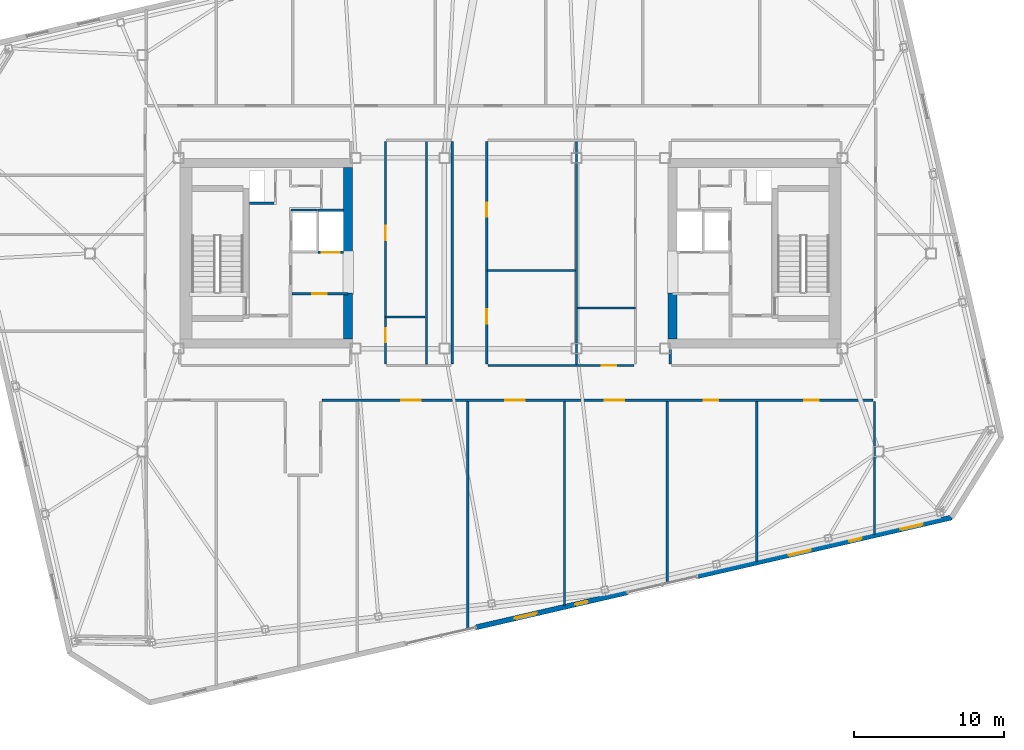
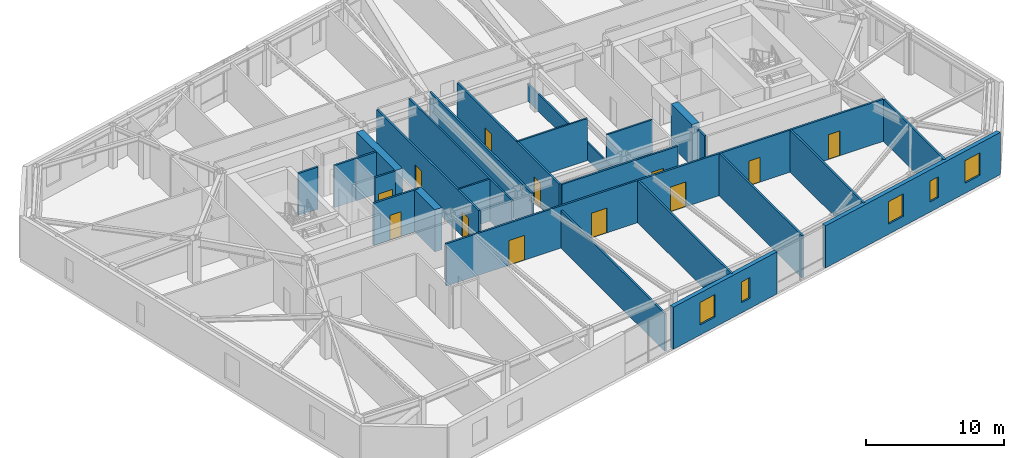
# One storey, part 16 of 22: 26 walls, 12 doors, 5 windows, 17 openings.
"""IFC4 building model written with IfcOpenShell, lengths in metres."""

from ifc_helpers import new_model, si_unit, direction, frame, frame_2d, origin, place, context, subcontext, project, spatial, rectangle, extrude, material, layer, layer_set, type_object, element, fill, save


model = new_model("IFC4")

# Units and contexts
model_context = context("Model", 3, precision=1e-05, world=origin(), true_north=direction((0.0, 1.0)))
body_context = subcontext(model_context, "Body", "Model", "MODEL_VIEW")
ifc_project = project(units=[si_unit("LENGTHUNIT", "METRE"), si_unit("AREAUNIT", "SQUARE_METRE"), si_unit("VOLUMEUNIT", "CUBIC_METRE"), si_unit("PLANEANGLEUNIT", "RADIAN"), si_unit("MASSUNIT", "GRAM", prefix="KILO")], contexts=[model_context])

# Site, building, storey
site_placement = place(None, origin())
site = spatial("IfcSite", under=ifc_project, at=site_placement, CompositionType="ELEMENT")
building_placement = place(site_placement, origin())
building = spatial("IfcBuilding", under=site, at=building_placement, Name="Tavrogorsk Clinical Tower", CompositionType="ELEMENT")
storey_placement = place(building_placement, frame((0.0, 0.0, 313.0)))
storey = spatial("IfcBuildingStorey", under=building, at=storey_placement, Name="L73", CompositionType="ELEMENT", Elevation=313.0)

# Walls
ifc_material_1 = material(Name="Lightweight concrete blockwork B15", Category="masonry")
ifc_layer_1 = layer(ifc_material_1, 0.139892578125)
ifc_layer_set_1 = layer_set([ifc_layer_1], Name="Lightweight concrete blockwork B15")
wall_type_1 = type_object("IfcWallType", Name="PartitionWall_140", PredefinedType="PARTITIONING", material=ifc_layer_set_1)
wall_1_placement = place(storey_placement, frame((-5.60009765625, -7.465087890625, 0.0), z_axis=(0.0, 0.0, 1.0), x_axis=(0.0, 1.0, 0.0)))
element("IfcWall", 1, at=wall_1_placement, inside=storey, type_object=wall_type_1, Name="L73 Central Spine Partition 1", PredefinedType="PARTITIONING", context=body_context, shape_type="SweptSolid", body=[
    extrude(rectangle(XDim=14.97998046875, YDim=0.139892578125, at=frame_2d((7.489990234375, 0.0))), origin(), (0.0, 0.0, 1.0), 3.739990234375),
])
wall_2_placement = place(storey_placement, frame((4.39990234375, -7.465087890625, 0.0), z_axis=(0.0, 0.0, 1.0), x_axis=(0.0, 1.0, 0.0)))
element("IfcWall", 2, at=wall_2_placement, inside=storey, type_object=wall_type_1, Name="L73 Central Spine Partition 2", PredefinedType="PARTITIONING", context=body_context, shape_type="SweptSolid", body=[
    extrude(rectangle(XDim=14.97998046875, YDim=0.139892578125, at=frame_2d((7.489990234375, 0.0))), origin(), (0.0, 0.0, 1.0), 1.534912109375),
])
wall_3_placement = place(storey_placement, frame((-1.56494140625, -1.14990234375, 0.0), z_axis=(0.0, 0.0, 1.0), x_axis=(1.0, 0.0, 0.0)))
element("IfcWall", 3, at=wall_3_placement, inside=storey, type_object=wall_type_1, Name="L73 Central Spine Partition 3", PredefinedType="PARTITIONING", context=body_context, shape_type="SweptSolid", body=[
    extrude(rectangle(XDim=5.889892578125, YDim=0.139892578125, at=frame_2d((2.94482421875, 0.0))), origin(), (0.0, 0.0, 1.0), 3.739990234375),
])
wall_4_placement = place(storey_placement, frame((-8.31494140625, -4.25, 0.0), z_axis=(0.0, 0.0, 1.0), x_axis=(1.0, 0.0, 0.0)))
element("IfcWall", 4, at=wall_4_placement, inside=storey, type_object=wall_type_1, Name="L73 Central Spine Partition 4", PredefinedType="PARTITIONING", context=body_context, shape_type="SweptSolid", body=[
    extrude(rectangle(XDim=2.639892578125, YDim=0.139892578125, at=frame_2d((1.31982421875, 0.0))), origin(), (0.0, 0.0, 1.0), 3.739990234375),
])
wall_5_placement = place(storey_placement, frame((4.47509765625, -3.64990234375, 0.0), z_axis=(0.0, 0.0, 1.0), x_axis=(1.0, 0.0, 0.0)))
element("IfcWall", 5, at=wall_5_placement, inside=storey, type_object=wall_type_1, Name="L73 Central Spine Partition 5", PredefinedType="PARTITIONING", context=body_context, shape_type="SweptSolid", body=[
    extrude(rectangle(XDim=3.83984375, YDim=0.139892578125, at=frame_2d((1.919921875, 0.0))), origin(), (0.0, 0.0, 1.0), 3.739990234375),
])

# Wall, opening, door
ifc_material_2 = material(Name="Lightweight concrete blockwork B15", Category="masonry")
ifc_layer_2 = layer(ifc_material_2, 0.159912109375)
ifc_layer_set_2 = layer_set([ifc_layer_2], Name="Lightweight concrete blockwork B15")
wall_type_2 = type_object("IfcWallType", Name="PartitionWall_160", PredefinedType="PARTITIONING", material=ifc_layer_set_2)
wall_6_placement = place(storey_placement, frame((-14.534912109375, -2.699951171875, 0.0), z_axis=(0.0, 0.0, 1.0), x_axis=(1.0, 0.0, 0.0)))
wall_6 = element("IfcWall", 6, at=wall_6_placement, inside=storey, type_object=wall_type_2, Name="L73 Core West Freed Mid-Bank North Partition", PredefinedType="PARTITIONING", context=body_context, shape_type="SweptSolid", body=[
    extrude(rectangle(XDim=3.73486328125, YDim=0.159912109375, at=frame_2d((1.867431640625, 0.0))), origin(), (0.0, 0.0, 1.0), 3.739990234375),
])
opening_1_placement = place(wall_6_placement, frame((1.35009765625, 0.0, 0.0)))
opening_1 = element("IfcOpeningElement", 7, at=opening_1_placement, cuts=wall_6, Name="Opening ID-02", PredefinedType="OPENING", context=body_context, shape_type="SweptSolid", body=[
    extrude(rectangle(XDim=0.949951171875, YDim=2.199951171875, at=frame_2d((0.47509765625, 1.10009765625))), frame((0.0, 0.08984375, 0.0), z_axis=(0.0, -1.0, 0.0), x_axis=(1.0, 0.0, 0.0)), (0.0, 0.0, 1.0), 0.179931640625),
])
ifc_material_3 = material(Name="Laminated timber leaf on aluminium frame", Category="wood")
door_type_1 = type_object("IfcDoorType", Name="InteriorDoor_ID02_950", OperationType="NOTDEFINED", PredefinedType="DOOR", material=ifc_material_3)
door_1_placement = place(opening_1_placement, origin())
door_1 = element("IfcDoor", 8, at=door_1_placement, inside=storey, type_object=door_type_1, Name="L73 Core West Pharmacy Prep Door", OperationType="SINGLE_SWING_LEFT", OverallHeight=2.199951171875, OverallWidth=0.949951171875, PredefinedType="DOOR", context=body_context, shape_type="SweptSolid", body=[
    extrude(rectangle(XDim=0.949951171875, YDim=2.199951171875, at=frame_2d((0.47509765625, 1.10009765625))), frame((0.0, 0.02490234375, 0.0), z_axis=(0.0, -1.0, 0.0), x_axis=(1.0, 0.0, 0.0)), (0.0, 0.0, 1.0), 0.050048828125),
])
fill(opening_1, door_1)

# Wall, openings, doors
wall_7_placement = place(storey_placement, frame((24.14501953125, -9.780029296875, 0.0), z_axis=(0.0, 0.0, 1.0), x_axis=(-1.0, 0.0, 0.0)))
wall_7 = element("IfcWall", 9, at=wall_7_placement, inside=storey, type_object=wall_type_2, Name="L73 Corridor Partition 04", PredefinedType="PARTITIONING", context=body_context, shape_type="SweptSolid", body=[
    extrude(rectangle(XDim=36.679931640625, YDim=0.159912109375, at=frame_2d((18.33984375, 0.0))), origin(), (0.0, 0.0, 1.0), 3.739990234375),
])
opening_2_placement = place(wall_7_placement, frame((30.10498046875, 0.0, 0.0)))
opening_2 = element("IfcOpeningElement", 10, at=opening_2_placement, cuts=wall_7, Name="Opening ID-01", PredefinedType="OPENING", context=body_context, shape_type="SweptSolid", body=[
    extrude(rectangle(XDim=1.300048828125, YDim=2.199951171875, at=frame_2d((0.64990234375, 1.10009765625))), frame((0.0, 0.08984375, 0.0), z_axis=(0.0, -1.0, 0.0), x_axis=(1.0, 0.0, 0.0)), (0.0, 0.0, 1.0), 0.179931640625),
])
opening_3_placement = place(wall_7_placement, frame((23.205078125, 0.0, 0.0)))
opening_3 = element("IfcOpeningElement", 11, at=opening_3_placement, cuts=wall_7, Name="Opening ID-01", PredefinedType="OPENING", context=body_context, shape_type="SweptSolid", body=[
    extrude(rectangle(XDim=1.300048828125, YDim=2.199951171875, at=frame_2d((0.64990234375, 1.10009765625))), frame((0.0, 0.08984375, 0.0), z_axis=(0.0, -1.0, 0.0), x_axis=(1.0, 0.0, 0.0)), (0.0, 0.0, 1.0), 0.179931640625),
])
opening_4_placement = place(wall_7_placement, frame((16.554931640625, 0.0, 0.0)))
opening_4 = element("IfcOpeningElement", 12, at=opening_4_placement, cuts=wall_7, Name="Opening ID-01", PredefinedType="OPENING", context=body_context, shape_type="SweptSolid", body=[
    extrude(rectangle(XDim=1.300048828125, YDim=2.199951171875, at=frame_2d((0.64990234375, 1.10009765625))), frame((0.0, 0.08984375, 0.0), z_axis=(0.0, -1.0, 0.0), x_axis=(1.0, 0.0, 0.0)), (0.0, 0.0, 1.0), 0.179931640625),
])
opening_5_placement = place(wall_7_placement, frame((10.330078125, 0.0, 0.0)))
opening_5 = element("IfcOpeningElement", 13, at=opening_5_placement, cuts=wall_7, Name="Opening ID-02", PredefinedType="OPENING", context=body_context, shape_type="SweptSolid", body=[
    extrude(rectangle(XDim=0.949951171875, YDim=2.199951171875, at=frame_2d((0.47509765625, 1.10009765625))), frame((0.0, 0.08984375, 0.0), z_axis=(0.0, -1.0, 0.0), x_axis=(1.0, 0.0, 0.0)), (0.0, 0.0, 1.0), 0.179931640625),
])
opening_6_placement = place(wall_7_placement, frame((3.634033203125, 0.0, 0.0)))
opening_6 = element("IfcOpeningElement", 14, at=opening_6_placement, cuts=wall_7, Name="Opening ID-02", PredefinedType="OPENING", context=body_context, shape_type="SweptSolid", body=[
    extrude(rectangle(XDim=0.949951171875, YDim=2.199951171875, at=frame_2d((0.47509765625, 1.10009765625))), frame((0.0, 0.08984375, 0.0), z_axis=(0.0, -1.0, 0.0), x_axis=(1.0, 0.0, 0.0)), (0.0, 0.0, 1.0), 0.179931640625),
])
door_2_placement = place(opening_5_placement, origin())
door_2 = element("IfcDoor", 15, at=door_2_placement, inside=storey, type_object=door_type_1, Name="L73 South Clean Medication & Prep Room 04B Door", OperationType="SINGLE_SWING_RIGHT", OverallHeight=2.199951171875, OverallWidth=0.949951171875, PredefinedType="DOOR", context=body_context, shape_type="SweptSolid", body=[
    extrude(rectangle(XDim=0.949951171875, YDim=2.199951171875, at=frame_2d((0.47509765625, 1.10009765625))), frame((0.0, 0.02490234375, 0.0), z_axis=(0.0, -1.0, 0.0), x_axis=(1.0, 0.0, 0.0)), (0.0, 0.0, 1.0), 0.050048828125),
])
fill(opening_5, door_2)
door_3_placement = place(opening_6_placement, origin())
door_3 = element("IfcDoor", 16, at=door_3_placement, inside=storey, type_object=door_type_1, Name="L73 South Soiled Utility & Sluice Room 05 Door", OperationType="SINGLE_SWING_LEFT", OverallHeight=2.199951171875, OverallWidth=0.949951171875, PredefinedType="DOOR", context=body_context, shape_type="SweptSolid", body=[
    extrude(rectangle(XDim=0.949951171875, YDim=2.199951171875, at=frame_2d((0.47509765625, 1.10009765625))), frame((0.0, 0.02490234375, 0.0), z_axis=(0.0, -1.0, 0.0), x_axis=(1.0, 0.0, 0.0)), (0.0, 0.0, 1.0), 0.050048828125),
])
fill(opening_6, door_3)
ifc_material_4 = material(Name="Antibacterial HPL medical leaf on aluminium frame", Category="aluminium")
door_type_2 = type_object("IfcDoorType", Name="WardBedDoor_ID01_1300", OperationType="NOTDEFINED", PredefinedType="DOOR", material=ifc_material_4)
door_4_placement = place(opening_2_placement, origin())
door_4 = element("IfcDoor", 17, at=door_4_placement, inside=storey, type_object=door_type_2, Name="L73 South Bariatric Observation Ward 03A Door", OperationType="SINGLE_SWING_LEFT", OverallHeight=2.199951171875, OverallWidth=1.300048828125, PredefinedType="DOOR", context=body_context, shape_type="SweptSolid", body=[
    extrude(rectangle(XDim=1.300048828125, YDim=2.199951171875, at=frame_2d((0.64990234375, 1.10009765625))), frame((0.0, 0.02490234375, 0.0), z_axis=(0.0, -1.0, 0.0), x_axis=(1.0, 0.0, 0.0)), (0.0, 0.0, 1.0), 0.050048828125),
])
fill(opening_2, door_4)
door_5_placement = place(opening_3_placement, origin())
door_5 = element("IfcDoor", 18, at=door_5_placement, inside=storey, type_object=door_type_2, Name="L73 South Acute Medical Ward 03B Door", OperationType="SINGLE_SWING_RIGHT", OverallHeight=2.199951171875, OverallWidth=1.300048828125, PredefinedType="DOOR", context=body_context, shape_type="SweptSolid", body=[
    extrude(rectangle(XDim=1.300048828125, YDim=2.199951171875, at=frame_2d((0.64990234375, 1.10009765625))), frame((0.0, 0.02490234375, 0.0), z_axis=(0.0, -1.0, 0.0), x_axis=(1.0, 0.0, 0.0)), (0.0, 0.0, 1.0), 0.050048828125),
])
fill(opening_3, door_5)
door_6_placement = place(opening_4_placement, origin())
door_6 = element("IfcDoor", 19, at=door_6_placement, inside=storey, type_object=door_type_2, Name="L73 South Surgical Step-Down Ward 04A Door", OperationType="SINGLE_SWING_LEFT", OverallHeight=2.199951171875, OverallWidth=1.300048828125, PredefinedType="DOOR", context=body_context, shape_type="SweptSolid", body=[
    extrude(rectangle(XDim=1.300048828125, YDim=2.199951171875, at=frame_2d((0.64990234375, 1.10009765625))), frame((0.0, 0.02490234375, 0.0), z_axis=(0.0, -1.0, 0.0), x_axis=(1.0, 0.0, 0.0)), (0.0, 0.0, 1.0), 0.050048828125),
])
fill(opening_4, door_6)

# Wall
wall_8_placement = place(storey_placement, frame((10.6298828125, -6.419921875, 0.0), z_axis=(0.0, 0.0, 1.0), x_axis=(0.0, -1.0, 0.0)))
element("IfcWall", 20, at=wall_8_placement, inside=storey, type_object=wall_type_2, Name="L73 Corridor Partition 11", PredefinedType="PARTITIONING", context=body_context, shape_type="SweptSolid", body=[
    extrude(rectangle(XDim=0.965087890625, YDim=0.159912109375, at=frame_2d((0.482421875, 0.0))), origin(), (0.0, 0.0, 1.0), 3.739990234375),
])

# Wall, openings, doors
wall_9_placement = place(storey_placement, frame((-1.570068359375, 7.43505859375, 0.0), z_axis=(0.0, 0.0, 1.0), x_axis=(0.0, -1.0, 0.0)))
wall_9 = element("IfcWall", 21, at=wall_9_placement, inside=storey, type_object=wall_type_2, Name="L73 Corridor Partition 16", PredefinedType="PARTITIONING", context=body_context, shape_type="SweptSolid", body=[
    extrude(rectangle(XDim=14.820068359375, YDim=0.159912109375, at=frame_2d((7.41015625, 0.0))), origin(), (0.0, 0.0, 1.0), 3.739990234375),
])
opening_7_placement = place(wall_9_placement, frame((11.160888671875, 0.0, 0.0)))
opening_7 = element("IfcOpeningElement", 22, at=opening_7_placement, cuts=wall_9, Name="Opening ID-02", PredefinedType="OPENING", context=body_context, shape_type="SweptSolid", body=[
    extrude(rectangle(XDim=0.949951171875, YDim=2.199951171875, at=frame_2d((0.47509765625, 1.10009765625))), frame((0.0, 0.08984375, 0.0), z_axis=(0.0, -1.0, 0.0), x_axis=(1.0, 0.0, 0.0)), (0.0, 0.0, 1.0), 0.179931640625),
])
opening_8_placement = place(wall_9_placement, frame((4.05419921875, 0.0, 0.0)))
opening_8 = element("IfcOpeningElement", 23, at=opening_8_placement, cuts=wall_9, Name="Opening ID-02", PredefinedType="OPENING", context=body_context, shape_type="SweptSolid", body=[
    extrude(rectangle(XDim=0.949951171875, YDim=2.199951171875, at=frame_2d((0.47509765625, 1.10009765625))), frame((0.0, 0.08984375, 0.0), z_axis=(0.0, -1.0, 0.0), x_axis=(1.0, 0.0, 0.0)), (0.0, 0.0, 1.0), 0.179931640625),
])
door_7_placement = place(opening_7_placement, origin())
door_7 = element("IfcDoor", 24, at=door_7_placement, inside=storey, type_object=door_type_1, Name="L73 Multidisciplinary Conference Room Door", OperationType="SINGLE_SWING_RIGHT", OverallHeight=2.199951171875, OverallWidth=0.949951171875, PredefinedType="DOOR", context=body_context, shape_type="SweptSolid", body=[
    extrude(rectangle(XDim=0.949951171875, YDim=2.199951171875, at=frame_2d((0.47509765625, 1.10009765625))), frame((0.0, 0.02490234375, 0.0), z_axis=(0.0, -1.0, 0.0), x_axis=(1.0, 0.0, 0.0)), (0.0, 0.0, 1.0), 0.050048828125),
])
fill(opening_7, door_7)
door_8_placement = place(opening_8_placement, origin())
door_8 = element("IfcDoor", 25, at=door_8_placement, inside=storey, type_object=door_type_1, Name="L73 Nurses' Station & Triage Hub Door", OperationType="SINGLE_SWING_LEFT", OverallHeight=2.199951171875, OverallWidth=0.949951171875, PredefinedType="DOOR", context=body_context, shape_type="SweptSolid", body=[
    extrude(rectangle(XDim=0.949951171875, YDim=2.199951171875, at=frame_2d((0.47509765625, 1.10009765625))), frame((0.0, 0.02490234375, 0.0), z_axis=(0.0, -1.0, 0.0), x_axis=(1.0, 0.0, 0.0)), (0.0, 0.0, 1.0), 0.050048828125),
])
fill(opening_8, door_8)

# Wall, opening, door
wall_10_placement = place(storey_placement, frame((-1.485107421875, -7.469970703125, 0.0), z_axis=(0.0, 0.0, 1.0), x_axis=(1.0, 0.0, 0.0)))
wall_10 = element("IfcWall", 26, at=wall_10_placement, inside=storey, type_object=wall_type_2, Name="L73 Corridor Partition 17", PredefinedType="PARTITIONING", context=body_context, shape_type="SweptSolid", body=[
    extrude(rectangle(XDim=9.72021484375, YDim=0.159912109375, at=frame_2d((4.860107421875, 0.0))), origin(), (0.0, 0.0, 1.0), 3.739990234375),
])
opening_9_placement = place(wall_10_placement, frame((7.560791015625, 0.0, 0.0)))
opening_9 = element("IfcOpeningElement", 27, at=opening_9_placement, cuts=wall_10, Name="Opening ID-02", PredefinedType="OPENING", context=body_context, shape_type="SweptSolid", body=[
    extrude(rectangle(XDim=0.949951171875, YDim=2.199951171875, at=frame_2d((0.47509765625, 1.10009765625))), frame((0.0, 0.08984375, 0.0), z_axis=(0.0, -1.0, 0.0), x_axis=(1.0, 0.0, 0.0)), (0.0, 0.0, 1.0), 0.179931640625),
])
door_9_placement = place(opening_9_placement, origin())
door_9 = element("IfcDoor", 28, at=door_9_placement, inside=storey, type_object=door_type_1, Name="L73 Staff & Visitor Accessible WC Door", OperationType="SINGLE_SWING_RIGHT", OverallHeight=2.199951171875, OverallWidth=0.949951171875, PredefinedType="DOOR", context=body_context, shape_type="SweptSolid", body=[
    extrude(rectangle(XDim=0.949951171875, YDim=2.199951171875, at=frame_2d((0.47509765625, 1.10009765625))), frame((0.0, 0.02490234375, 0.0), z_axis=(0.0, -1.0, 0.0), x_axis=(1.0, 0.0, 0.0)), (0.0, 0.0, 1.0), 0.050048828125),
])
fill(opening_9, door_9)

# Wall
wall_11_placement = place(storey_placement, frame((-3.8798828125, -7.385009765625, 0.0), z_axis=(0.0, 0.0, 1.0), x_axis=(0.0, 1.0, 0.0)))
element("IfcWall", 29, at=wall_11_placement, inside=storey, type_object=wall_type_2, Name="L73 Corridor Partition 19", PredefinedType="PARTITIONING", context=body_context, shape_type="SweptSolid", body=[
    extrude(rectangle(XDim=14.820068359375, YDim=0.159912109375, at=frame_2d((7.41015625, 0.0))), origin(), (0.0, 0.0, 1.0), 3.739990234375),
])

# Wall, openings, doors
wall_12_placement = place(storey_placement, frame((-8.320068359375, 7.43505859375, 0.0), z_axis=(0.0, 0.0, 1.0), x_axis=(0.0, -1.0, 0.0)))
wall_12 = element("IfcWall", 30, at=wall_12_placement, inside=storey, type_object=wall_type_2, Name="L73 Corridor Partition 21", PredefinedType="PARTITIONING", context=body_context, shape_type="SweptSolid", body=[
    extrude(rectangle(XDim=14.820068359375, YDim=0.159912109375, at=frame_2d((7.41015625, 0.0))), origin(), (0.0, 0.0, 1.0), 3.739990234375),
])
opening_10_placement = place(wall_12_placement, frame((12.410888671875, 0.0, 0.0)))
opening_10 = element("IfcOpeningElement", 31, at=opening_10_placement, cuts=wall_12, Name="Opening ID-02", PredefinedType="OPENING", context=body_context, shape_type="SweptSolid", body=[
    extrude(rectangle(XDim=0.949951171875, YDim=2.199951171875, at=frame_2d((0.47509765625, 1.10009765625))), frame((0.0, 0.08984375, 0.0), z_axis=(0.0, -1.0, 0.0), x_axis=(1.0, 0.0, 0.0)), (0.0, 0.0, 1.0), 0.179931640625),
])
opening_11_placement = place(wall_12_placement, frame((5.60400390625, 0.0, 0.0)))
opening_11 = element("IfcOpeningElement", 32, at=opening_11_placement, cuts=wall_12, Name="Opening ID-02", PredefinedType="OPENING", context=body_context, shape_type="SweptSolid", body=[
    extrude(rectangle(XDim=0.949951171875, YDim=2.199951171875, at=frame_2d((0.47509765625, 1.10009765625))), frame((0.0, 0.08984375, 0.0), z_axis=(0.0, -1.0, 0.0), x_axis=(1.0, 0.0, 0.0)), (0.0, 0.0, 1.0), 0.179931640625),
])
door_10_placement = place(opening_10_placement, origin())
door_10 = element("IfcDoor", 33, at=door_10_placement, inside=storey, type_object=door_type_1, Name="L73 Accessible Patient Lavatory Door", OperationType="SINGLE_SWING_RIGHT", OverallHeight=2.199951171875, OverallWidth=0.949951171875, PredefinedType="DOOR", context=body_context, shape_type="SweptSolid", body=[
    extrude(rectangle(XDim=0.949951171875, YDim=2.199951171875, at=frame_2d((0.47509765625, 1.10009765625))), frame((0.0, 0.02490234375, 0.0), z_axis=(0.0, -1.0, 0.0), x_axis=(1.0, 0.0, 0.0)), (0.0, 0.0, 1.0), 0.050048828125),
])
fill(opening_10, door_10)
door_11_placement = place(opening_11_placement, origin())
door_11 = element("IfcDoor", 34, at=door_11_placement, inside=storey, type_object=door_type_1, Name="L73 Ward Nourishment Pantry Door", OperationType="SINGLE_SWING_LEFT", OverallHeight=2.199951171875, OverallWidth=0.949951171875, PredefinedType="DOOR", context=body_context, shape_type="SweptSolid", body=[
    extrude(rectangle(XDim=0.949951171875, YDim=2.199951171875, at=frame_2d((0.47509765625, 1.10009765625))), frame((0.0, 0.02490234375, 0.0), z_axis=(0.0, -1.0, 0.0), x_axis=(1.0, 0.0, 0.0)), (0.0, 0.0, 1.0), 0.050048828125),
])
fill(opening_11, door_11)

# Walls
wall_13_placement = place(storey_placement, frame((24.22998046875, -18.702880859375, 0.0), z_axis=(0.0, 0.0, 1.0), x_axis=(0.0, 1.0, 0.0)))
element("IfcWall", 35, at=wall_13_placement, inside=storey, type_object=wall_type_2, Name="L73 SE Wing Closure Partition", PredefinedType="PARTITIONING", context=body_context, shape_type="SweptSolid", body=[
    extrude(rectangle(XDim=8.837890625, YDim=0.159912109375, at=frame_2d((4.4189453125, 0.0))), origin(), (0.0, 0.0, 1.0), 3.739990234375),
])
wall_14_placement = place(storey_placement, frame((3.60009765625, -23.465576171875, 0.0), z_axis=(0.0, 0.0, 1.0), x_axis=(0.0, 1.0, 0.0)))
element("IfcWall", 36, at=wall_14_placement, inside=storey, type_object=wall_type_2, Name="L73 South Room Partition 3", PredefinedType="PARTITIONING", context=body_context, shape_type="SweptSolid", body=[
    extrude(rectangle(XDim=13.6005859375, YDim=0.159912109375, at=frame_2d((6.80029296875, 0.0))), origin(), (0.0, 0.0, 1.0), 3.739990234375),
])
wall_15_placement = place(storey_placement, frame((16.39990234375, -20.510498046875, 0.0), z_axis=(0.0, 0.0, 1.0), x_axis=(0.0, 1.0, 0.0)))
element("IfcWall", 37, at=wall_15_placement, inside=storey, type_object=wall_type_2, Name="L73 South Room Partition 4", PredefinedType="PARTITIONING", context=body_context, shape_type="SweptSolid", body=[
    extrude(rectangle(XDim=10.6455078125, YDim=0.159912109375, at=frame_2d((5.32275390625, 0.0))), origin(), (0.0, 0.0, 1.0), 3.739990234375),
])
wall_16_placement = place(storey_placement, frame((-2.85009765625, -24.95458984375, 0.0), z_axis=(0.0, 0.0, 1.0), x_axis=(0.0, 1.0, 0.0)))
element("IfcWall", 38, at=wall_16_placement, inside=storey, type_object=wall_type_2, Name="L73 South Sub-Partition 3", PredefinedType="PARTITIONING", context=body_context, shape_type="SweptSolid", body=[
    extrude(rectangle(XDim=15.089599609375, YDim=0.159912109375, at=frame_2d((7.544921875, 0.0))), origin(), (0.0, 0.0, 1.0), 3.3349609375),
])
wall_17_placement = place(storey_placement, frame((10.449951171875, -21.884033203125, 0.0), z_axis=(0.0, 0.0, 1.0), x_axis=(0.0, 1.0, 0.0)))
element("IfcWall", 39, at=wall_17_placement, inside=storey, type_object=wall_type_2, Name="L73 South Sub-Partition 4", PredefinedType="PARTITIONING", context=body_context, shape_type="SweptSolid", body=[
    extrude(rectangle(XDim=12.01904296875, YDim=0.159912109375, at=frame_2d((6.009521484375, 0.0))), origin(), (0.0, 0.0, 1.0), 3.739990234375),
])

# Wall, openings, windows
ifc_material_5 = material(Name="Precast concrete B45 with limestone cladding", Category="masonry")
ifc_layer_3 = layer(ifc_material_5, 0.340087890625)
ifc_layer_set_3 = layer_set([ifc_layer_3], Name="Precast concrete B45 with limestone cladding")
wall_type_3 = type_object("IfcWallType", Name="PrecastLimestoneWall_340", PredefinedType="STANDARD", material=ifc_layer_set_3)
wall_18_placement = place(storey_placement, frame((-2.294921875, -24.8984375, 0.0), z_axis=(0.0, 0.0, 1.0), x_axis=(0.974370872906, 0.224947553958, 0.0)))
wall_18 = element("IfcWall", 40, at=wall_18_placement, inside=storey, type_object=wall_type_3, Name="L73 S Limestone Facade Wall 2", PredefinedType="STANDARD", context=body_context, shape_type="SweptSolid", body=[
    extrude(rectangle(XDim=10.327880859375, YDim=0.340087890625, at=frame_2d((5.1640625, 0.0))), origin(), (0.0, 0.0, 1.0), 3.739990234375),
])
opening_12_placement = place(wall_18_placement, frame((2.65478515625, 0.0, 0.89990234375)))
opening_12 = element("IfcOpeningElement", 41, at=opening_12_placement, cuts=wall_18, Name="Opening WN-05", PredefinedType="OPENING", context=body_context, shape_type="SweptSolid", body=[
    extrude(rectangle(XDim=1.5, YDim=2.0, at=frame_2d((0.75, 1.0))), frame((0.0, 0.179931640625, 0.0), z_axis=(0.0, -1.0, 0.0), x_axis=(1.0, 0.0, 0.0)), (0.0, 0.0, 1.0), 0.360107421875),
])
opening_13_placement = place(wall_18_placement, frame((6.7744140625, 0.0, 0.89990234375)))
opening_13 = element("IfcOpeningElement", 42, at=opening_13_placement, cuts=wall_18, Name="Opening WN-06", PredefinedType="OPENING", context=body_context, shape_type="SweptSolid", body=[
    extrude(rectangle(XDim=0.85009765625, YDim=1.85009765625, at=frame_2d((0.425048828125, 0.925048828125))), frame((0.0, 0.179931640625, 0.0), z_axis=(0.0, -1.0, 0.0), x_axis=(1.0, 0.0, 0.0)), (0.0, 0.0, 1.0), 0.360107421875),
])
ifc_material_6 = material(Name="Thermally broken aluminium frame and triple IGU", Category="aluminium")
window_type_1 = type_object("IfcWindowType", Name="ConsultWin_1500x2000", PartitioningType="SINGLE_PANEL", PredefinedType="WINDOW", material=ifc_material_6)
window_1_placement = place(opening_12_placement, origin())
window_1 = element("IfcWindow", 43, at=window_1_placement, inside=storey, type_object=window_type_1, Name="L73 S Chicago Window 05", OverallHeight=2.0, OverallWidth=1.5, PartitioningType="SINGLE_PANEL", PredefinedType="WINDOW", context=body_context, shape_type="SweptSolid", body=[
    extrude(rectangle(XDim=1.5, YDim=2.0, at=frame_2d((0.75, 1.0))), frame((0.0, 0.030029296875, 0.0), z_axis=(0.0, -1.0, 0.0), x_axis=(1.0, 0.0, 0.0)), (0.0, 0.0, 1.0), 0.06005859375),
])
fill(opening_12, window_1)
ifc_material_7 = material(Name="Thermally broken aluminium frame and triple IGU", Category="aluminium")
window_type_2 = type_object("IfcWindowType", Name="MullionSubWin_850x1850", PartitioningType="SINGLE_PANEL", PredefinedType="WINDOW", material=ifc_material_7)
window_2_placement = place(opening_13_placement, origin())
window_2 = element("IfcWindow", 44, at=window_2_placement, inside=storey, type_object=window_type_2, Name="L73 S Mullion Split Window 06B", OverallHeight=1.85009765625, OverallWidth=0.85009765625, PartitioningType="SINGLE_PANEL", PredefinedType="WINDOW", context=body_context, shape_type="SweptSolid", body=[
    extrude(rectangle(XDim=0.85009765625, YDim=1.85009765625, at=frame_2d((0.425048828125, 0.925048828125))), frame((0.0, 0.030029296875, 0.0), z_axis=(0.0, -1.0, 0.0), x_axis=(1.0, 0.0, 0.0)), (0.0, 0.0, 1.0), 0.06005859375),
])
fill(opening_13, window_2)

wall_19_placement = place(storey_placement, frame((12.4453125, -21.495361328125, 0.0), z_axis=(0.0, 0.0, 1.0), x_axis=(0.974369392164, 0.224953967767, 0.0)))
wall_19 = element("IfcWall", 45, at=wall_19_placement, inside=storey, type_object=wall_type_3, Name="L73 S Limestone Facade Wall 3", PredefinedType="STANDARD", context=body_context, shape_type="SweptSolid", body=[
    extrude(rectangle(XDim=17.36572265625, YDim=0.340087890625, at=frame_2d((8.682861328125, 0.0))), origin(), (0.0, 0.0, 1.0), 3.739990234375),
])
opening_14_placement = place(wall_19_placement, frame((6.240234375, 0.0, 0.89990234375)))
opening_14 = element("IfcOpeningElement", 46, at=opening_14_placement, cuts=wall_19, Name="Opening WN-05", PredefinedType="OPENING", context=body_context, shape_type="SweptSolid", body=[
    extrude(rectangle(XDim=1.5, YDim=2.0, at=frame_2d((0.75, 1.0))), frame((0.0, 0.179931640625, 0.0), z_axis=(0.0, -1.0, 0.0), x_axis=(1.0, 0.0, 0.0)), (0.0, 0.0, 1.0), 0.360107421875),
])
opening_15_placement = place(wall_19_placement, frame((10.36279296875, 0.0, 0.89990234375)))
opening_15 = element("IfcOpeningElement", 47, at=opening_15_placement, cuts=wall_19, Name="Opening WN-06", PredefinedType="OPENING", context=body_context, shape_type="SweptSolid", body=[
    extrude(rectangle(XDim=0.85009765625, YDim=1.85009765625, at=frame_2d((0.425048828125, 0.925048828125))), frame((0.0, 0.179931640625, 0.0), z_axis=(0.0, -1.0, 0.0), x_axis=(1.0, 0.0, 0.0)), (0.0, 0.0, 1.0), 0.360107421875),
])
opening_16_placement = place(wall_19_placement, frame((13.87451171875, 0.0, 0.89990234375)))
opening_16 = element("IfcOpeningElement", 48, at=opening_16_placement, cuts=wall_19, Name="Opening WN-05", PredefinedType="OPENING", context=body_context, shape_type="SweptSolid", body=[
    extrude(rectangle(XDim=1.5, YDim=2.0, at=frame_2d((0.75, 1.0))), frame((0.0, 0.179931640625, 0.0), z_axis=(0.0, -1.0, 0.0), x_axis=(1.0, 0.0, 0.0)), (0.0, 0.0, 1.0), 0.360107421875),
])
window_3_placement = place(opening_14_placement, origin())
window_3 = element("IfcWindow", 49, at=window_3_placement, inside=storey, type_object=window_type_1, Name="L73 S Chicago Window 08", OverallHeight=2.0, OverallWidth=1.5, PartitioningType="SINGLE_PANEL", PredefinedType="WINDOW", context=body_context, shape_type="SweptSolid", body=[
    extrude(rectangle(XDim=1.5, YDim=2.0, at=frame_2d((0.75, 1.0))), frame((0.0, 0.030029296875, 0.0), z_axis=(0.0, -1.0, 0.0), x_axis=(1.0, 0.0, 0.0)), (0.0, 0.0, 1.0), 0.06005859375),
])
fill(opening_14, window_3)
window_4_placement = place(opening_16_placement, origin())
window_4 = element("IfcWindow", 50, at=window_4_placement, inside=storey, type_object=window_type_1, Name="L73 S Chicago Window 10", OverallHeight=2.0, OverallWidth=1.5, PartitioningType="SINGLE_PANEL", PredefinedType="WINDOW", context=body_context, shape_type="SweptSolid", body=[
    extrude(rectangle(XDim=1.5, YDim=2.0, at=frame_2d((0.75, 1.0))), frame((0.0, 0.030029296875, 0.0), z_axis=(0.0, -1.0, 0.0), x_axis=(1.0, 0.0, 0.0)), (0.0, 0.0, 1.0), 0.06005859375),
])
fill(opening_16, window_4)
window_5_placement = place(opening_15_placement, origin())
window_5 = element("IfcWindow", 51, at=window_5_placement, inside=storey, type_object=window_type_2, Name="L73 S Mullion Split Window 09A", OverallHeight=1.85009765625, OverallWidth=0.85009765625, PartitioningType="SINGLE_PANEL", PredefinedType="WINDOW", context=body_context, shape_type="SweptSolid", body=[
    extrude(rectangle(XDim=0.85009765625, YDim=1.85009765625, at=frame_2d((0.425048828125, 0.925048828125))), frame((0.0, 0.030029296875, 0.0), z_axis=(0.0, -1.0, 0.0), x_axis=(1.0, 0.0, 0.0)), (0.0, 0.0, 1.0), 0.06005859375),
])
fill(opening_15, window_5)

# Wall
ifc_material_8 = material(Name="Lightweight concrete blockwork B25", Category="masonry")
ifc_layer_4 = layer(ifc_material_8, 0.159912109375)
ifc_layer_set_4 = layer_set([ifc_layer_4], Name="Lightweight concrete blockwork B25")
wall_type_4 = type_object("IfcWallType", Name="ShaftWall_160", PredefinedType="PARTITIONING", material=ifc_layer_set_4)
wall_20_placement = place(storey_placement, frame((-14.60009765625, 2.8798828125, 0.0), z_axis=(0.0, 0.0, 1.0), x_axis=(1.0, 0.0, 0.0)))
element("IfcWall", 52, at=wall_20_placement, inside=storey, type_object=wall_type_4, Name="L73 FFL-W Shaft North Wall", PredefinedType="PARTITIONING", context=body_context, shape_type="SweptSolid", body=[
    extrude(rectangle(XDim=1.760009765625, YDim=0.159912109375, at=frame_2d((0.8798828125, 0.0))), origin(), (0.0, 0.0, 1.0), 3.739990234375),
])

# Wall, opening, door
wall_21_placement = place(storey_placement, frame((-12.820068359375, 0.06005859375, 0.0), z_axis=(0.0, 0.0, 1.0), x_axis=(1.0, 0.0, 0.0)))
wall_21 = element("IfcWall", 53, at=wall_21_placement, inside=storey, type_object=wall_type_4, Name="L73 LP-H1 High-Zone Lift Portal Wall", PredefinedType="PARTITIONING", context=body_context, shape_type="SweptSolid", body=[
    extrude(rectangle(XDim=1.719970703125, YDim=0.159912109375, at=frame_2d((0.85986328125, 0.0))), origin(), (0.0, 0.0, 1.0), 3.739990234375),
])
opening_17_placement = place(wall_21_placement, frame((0.260009765625, 0.0, 0.0)))
opening_17 = element("IfcOpeningElement", 54, at=opening_17_placement, cuts=wall_21, Name="Opening LD", PredefinedType="OPENING", context=body_context, shape_type="SweptSolid", body=[
    extrude(rectangle(XDim=1.199951171875, YDim=2.199951171875, at=frame_2d((0.60009765625, 1.10009765625))), frame((0.0, 0.08984375, 0.0), z_axis=(0.0, -1.0, 0.0), x_axis=(1.0, 0.0, 0.0)), (0.0, 0.0, 1.0), 0.179931640625),
])
ifc_material_9 = material(Name="Brushed stainless steel AISI 304 sliding doors", Category="steel")
door_type_3 = type_object("IfcDoorType", Name="LiftLandingDoor_LD_1200", OperationType="SLIDING_TO_LEFT", PredefinedType="DOOR", material=ifc_material_9)
door_12_placement = place(opening_17_placement, origin())
door_12 = element("IfcDoor", 55, at=door_12_placement, inside=storey, type_object=door_type_3, Name="L73 LP-H1 Sliding Lift Landing Door", OperationType="SLIDING_TO_LEFT", OverallHeight=2.199951171875, OverallWidth=1.199951171875, PredefinedType="DOOR", context=body_context, shape_type="SweptSolid", body=[
    extrude(rectangle(XDim=1.199951171875, YDim=2.199951171875, at=frame_2d((0.60009765625, 1.10009765625))), frame((0.0, 0.02490234375, 0.0), z_axis=(0.0, -1.0, 0.0), x_axis=(1.0, 0.0, 0.0)), (0.0, 0.0, 1.0), 0.050048828125),
])
fill(opening_17, door_12)

# Walls
wall_22_placement = place(storey_placement, frame((-12.820068359375, 2.860107421875, 0.0), z_axis=(0.0, 0.0, 1.0), x_axis=(1.0, 0.0, 0.0)))
element("IfcWall", 56, at=wall_22_placement, inside=storey, type_object=wall_type_4, Name="L73 LP-H1 High-Zone Lift Rear Wall", PredefinedType="PARTITIONING", context=body_context, shape_type="SweptSolid", body=[
    extrude(rectangle(XDim=1.719970703125, YDim=0.159912109375, at=frame_2d((0.85986328125, 0.0))), origin(), (0.0, 0.0, 1.0), 3.739990234375),
])
wall_23_placement = place(storey_placement, frame((-17.3798828125, 3.320068359375, 0.0), z_axis=(0.0, 0.0, 1.0), x_axis=(1.0, 0.0, 0.0)))
element("IfcWall", 57, at=wall_23_placement, inside=storey, type_object=wall_type_4, Name="L73 Core West Riser South Wall", PredefinedType="PARTITIONING", context=body_context, shape_type="SweptSolid", body=[
    extrude(rectangle(XDim=1.65478515625, YDim=0.159912109375, at=frame_2d((0.827392578125, 0.0))), origin(), (0.0, 0.0, 1.0), 3.739990234375),
])
ifc_material_10 = material(Name="Concrete B80", Category="concrete")
ifc_layer_5 = layer(ifc_material_10, 0.60009765625)
ifc_layer_set_5 = layer_set([ifc_layer_5], Name="Concrete B80")
wall_type_5 = type_object("IfcWallType", Name="ShearWall_600", PredefinedType="SHEAR", material=ifc_layer_set_5)
wall_24_placement = place(storey_placement, frame((-10.800048828125, -5.699951171875, 0.0), z_axis=(0.0, 0.0, 1.0), x_axis=(0.0, 1.0, 0.0)))
element("IfcWall", 58, at=wall_24_placement, inside=storey, type_object=wall_type_5, Name="L73 Core West Inner South Pier", PredefinedType="SHEAR", context=body_context, shape_type="SweptSolid", body=[
    extrude(rectangle(XDim=3.050048828125, YDim=0.60009765625, at=frame_2d((1.52490234375, 0.0))), origin(), (0.0, 0.0, 1.0), 3.739990234375),
])
wall_25_placement = place(storey_placement, frame((-10.800048828125, 0.050048828125, 0.0), z_axis=(0.0, 0.0, 1.0), x_axis=(0.0, 1.0, 0.0)))
element("IfcWall", 59, at=wall_25_placement, inside=storey, type_object=wall_type_5, Name="L73 Core West Inner North Pier", PredefinedType="SHEAR", context=body_context, shape_type="SweptSolid", body=[
    extrude(rectangle(XDim=5.64990234375, YDim=0.60009765625, at=frame_2d((2.824951171875, 0.0))), origin(), (0.0, 0.0, 1.0), 3.739990234375),
])
wall_26_placement = place(storey_placement, frame((10.800048828125, -5.699951171875, 0.0), z_axis=(0.0, 0.0, 1.0), x_axis=(0.0, 1.0, 0.0)))
element("IfcWall", 60, at=wall_26_placement, inside=storey, type_object=wall_type_5, Name="L73 Core East Inner South Pier", PredefinedType="SHEAR", context=body_context, shape_type="SweptSolid", body=[
    extrude(rectangle(XDim=3.050048828125, YDim=0.60009765625, at=frame_2d((1.52490234375, 0.0))), origin(), (0.0, 0.0, 1.0), 3.739990234375),
])

save(model, "model.ifc")
